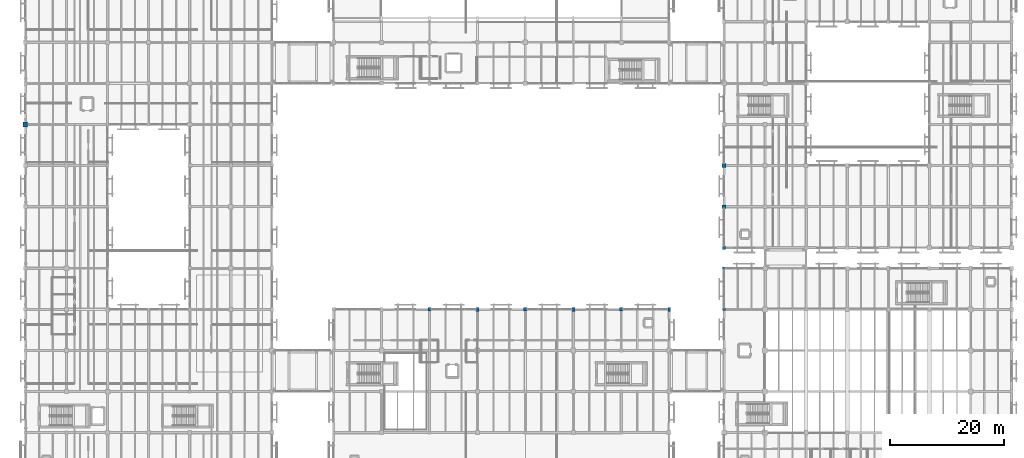
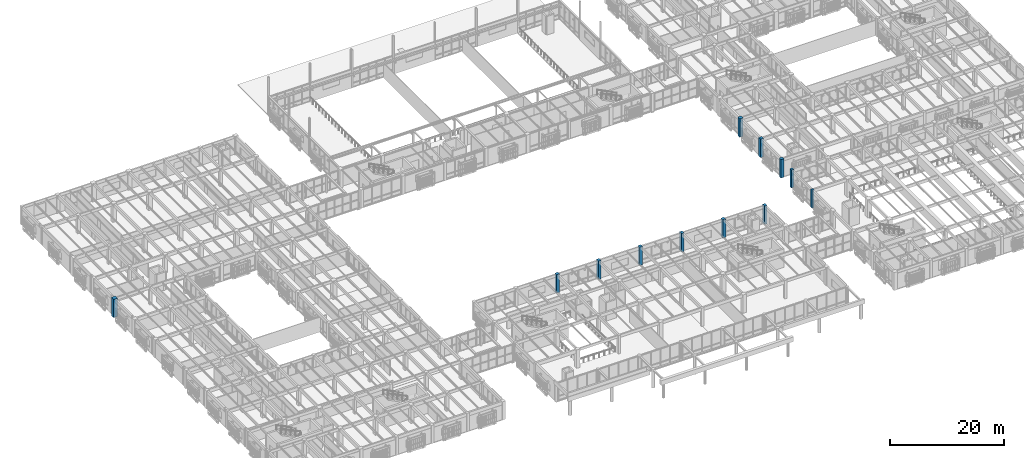
# One storey, part 6 of 170: 12 columns.
"""IFC4 building model written with IfcOpenShell, lengths in metres."""

from ifc_helpers import new_model, si_unit, direction, frame, origin, origin_2d, place, context, subcontext, project, spatial, rectangle, extrude, material, material_profile, profile_set, type_object, element, save


model = new_model("IFC4")

# Units and contexts
model_context = context("Model", 3, precision=1e-05, world=origin(), true_north=direction((0.0, 1.0)))
body_context = subcontext(model_context, "Body", "Model", "MODEL_VIEW")
ifc_project = project(units=[si_unit("LENGTHUNIT", "METRE"), si_unit("AREAUNIT", "SQUARE_METRE"), si_unit("VOLUMEUNIT", "CUBIC_METRE"), si_unit("PLANEANGLEUNIT", "RADIAN"), si_unit("MASSUNIT", "GRAM", prefix="KILO")], contexts=[model_context])

# Site, building, storey
site_placement = place(None, origin())
site = spatial("IfcSite", under=ifc_project, at=site_placement, CompositionType="ELEMENT")
building_placement = place(site_placement, origin())
building = spatial("IfcBuilding", under=site, at=building_placement, Name="Mazaris Harbour Polytechnic", CompositionType="ELEMENT")
storey_placement = place(building_placement, frame((0.0, 0.0, 5.39990234375)))
storey = spatial("IfcBuildingStorey", under=building, at=storey_placement, Name="L01", CompositionType="ELEMENT", Elevation=5.39990234375)

# Columns
ifc_material_1 = material(Name="Concrete C40/50", Category="concrete")
ifc_material_profile_1 = material_profile(ifc_material_1, rectangle(XDim=0.449951171875, YDim=0.449951171875, at=origin_2d()), Name="RECT450x450")
ifc_profile_set_1 = profile_set([ifc_material_profile_1], Name="Concrete C40/50")
column_type_1 = type_object("IfcColumnType", Name="RC Column 450x450 Exterior", PredefinedType="COLUMN", material=ifc_profile_set_1)
column_1_placement = place(storey_placement, frame((122.39990234375, 36.0, 0.0), z_axis=(0.0, 0.0, 1.0), x_axis=(1.0, 0.0, 0.0)))
element("IfcColumn", 1, at=column_1_placement, inside=storey, type_object=column_type_1, Name="V2 L01 Column 269", PredefinedType="COLUMN", context=body_context, shape_type="SweptSolid", body=[
    extrude(rectangle(XDim=0.449951171875, YDim=0.449951171875, at=origin_2d()), origin(), (0.0, 0.0, 1.0), 3.85009765625),
])
ifc_material_2 = material(Name="Concrete C40/50", Category="concrete")
ifc_material_profile_2 = material_profile(ifc_material_2, rectangle(XDim=0.5, YDim=0.5, at=origin_2d()), Name="RECT500x500")
ifc_profile_set_2 = profile_set([ifc_material_profile_2], Name="Concrete C40/50")
column_type_2 = type_object("IfcColumnType", Name="RC Column 500x500 Exterior", PredefinedType="COLUMN", material=ifc_profile_set_2)
column_2_placement = place(storey_placement, frame((122.39990234375, 43.199951171875, 0.0), z_axis=(0.0, 0.0, 1.0), x_axis=(1.0, 0.0, 0.0)))
element("IfcColumn", 2, at=column_2_placement, inside=storey, type_object=column_type_2, Name="V2 L01 Column 270", PredefinedType="COLUMN", context=body_context, shape_type="SweptSolid", body=[
    extrude(rectangle(XDim=0.5, YDim=0.5, at=origin_2d()), origin(), (0.0, 0.0, 1.0), 3.85009765625),
])
ifc_material_3 = material(Name="Concrete C40/50", Category="concrete")
ifc_material_profile_3 = material_profile(ifc_material_3, rectangle(XDim=0.5, YDim=0.699951171875, at=origin_2d()), Name="RECT500x700")
ifc_profile_set_3 = profile_set([ifc_material_profile_3], Name="Concrete C40/50")
column_type_3 = type_object("IfcColumnType", Name="RC Column 500x700 Exterior", PredefinedType="COLUMN", material=ifc_profile_set_3)
for number, where, z_axis, x_axis, name in (
    (3, (79.199951171875, 36.0, 0.0), (0.0, 0.0, 1.0), (1.0, 0.0, 0.0), "V3 L01 Column 487"),
    (4, (96.0, 36.0, 0.0), (0.0, 0.0, 1.0), (1.0, 0.0, 0.0), "V3 L01 Column 497"),
    (5, (112.800048828125, 36.0, 0.0), (0.0, 0.0, 1.0), (1.0, 0.0, 0.0), "V3 L01 Column 507"),
):
    element("IfcColumn", number, at=place(storey_placement, frame(where, z_axis=z_axis, x_axis=x_axis)), inside=storey, type_object=column_type_3, Name=name, PredefinedType="COLUMN", context=body_context, shape_type="SweptSolid", body=[
        extrude(rectangle(XDim=0.5, YDim=0.699951171875, at=origin_2d()), origin(), (0.0, 0.0, 1.0), 3.920166015625),
    ])
ifc_material_4 = material(Name="Concrete C40/50", Category="concrete")
ifc_material_profile_4 = material_profile(ifc_material_4, rectangle(XDim=0.60009765625, YDim=0.60009765625, at=origin_2d()), Name="RECT600x600")
ifc_profile_set_4 = profile_set([ifc_material_profile_4], Name="Concrete C40/50")
column_type_4 = type_object("IfcColumnType", Name="RC Column 600x600 Exterior", PredefinedType="COLUMN", material=ifc_profile_set_4)
for number, where, z_axis, x_axis, name in (
    (6, (70.800048828125, 36.0, 0.0), (0.0, 0.0, 1.0), (1.0, 0.0, 0.0), "V3 L01 Column 482"),
    (7, (87.60009765625, 36.0, 0.0), (0.0, 0.0, 1.0), (1.0, 0.0, 0.0), "V3 L01 Column 492"),
    (8, (104.39990234375, 36.0, 0.0), (0.0, 0.0, 1.0), (1.0, 0.0, 0.0), "V3 L01 Column 502"),
    (9, (122.39990234375, 46.800048828125, 0.0), (0.0, 0.0, 1.0), (1.0, 0.0, 0.0), "V5 L01 Column 1252"),
):
    element("IfcColumn", number, at=place(storey_placement, frame(where, z_axis=z_axis, x_axis=x_axis)), inside=storey, type_object=column_type_4, Name=name, PredefinedType="COLUMN", context=body_context, shape_type="SweptSolid", body=[
        extrude(rectangle(XDim=0.60009765625, YDim=0.60009765625, at=origin_2d()), origin(), (0.0, 0.0, 1.0), 3.920166015625),
    ])
ifc_material_5 = material(Name="Concrete C40/50", Category="concrete")
ifc_material_profile_5 = material_profile(ifc_material_5, rectangle(XDim=0.64990234375, YDim=0.64990234375, at=origin_2d()), Name="RECT650x650")
ifc_profile_set_5 = profile_set([ifc_material_profile_5], Name="Concrete C40/50")
column_type_5 = type_object("IfcColumnType", Name="RC Column 650x650 Exterior", PredefinedType="COLUMN", material=ifc_profile_set_5)
column_3_placement = place(storey_placement, frame((122.39990234375, 54.0, 0.0), z_axis=(0.0, 0.0, 1.0), x_axis=(1.0, 0.0, 0.0)))
element("IfcColumn", 10, at=column_3_placement, inside=storey, type_object=column_type_5, Name="V5 L01 Column 1253", PredefinedType="COLUMN", context=body_context, shape_type="SweptSolid", body=[
    extrude(rectangle(XDim=0.64990234375, YDim=0.64990234375, at=origin_2d()), origin(), (0.0, 0.0, 1.0), 3.920166015625),
])
ifc_material_6 = material(Name="Concrete C40/50", Category="concrete")
ifc_material_profile_6 = material_profile(ifc_material_6, rectangle(XDim=0.699951171875, YDim=0.699951171875, at=origin_2d()), Name="RECT700x700")
ifc_profile_set_6 = profile_set([ifc_material_profile_6], Name="Concrete C40/50")
column_type_6 = type_object("IfcColumnType", Name="RC Column 700x700 Exterior", PredefinedType="COLUMN", material=ifc_profile_set_6)
column_4_placement = place(storey_placement, frame((122.39990234375, 61.199951171875, 0.0), z_axis=(0.0, 0.0, 1.0), x_axis=(1.0, 0.0, 0.0)))
element("IfcColumn", 11, at=column_4_placement, inside=storey, type_object=column_type_6, Name="V5 L01 Column 1254", PredefinedType="COLUMN", context=body_context, shape_type="SweptSolid", body=[
    extrude(rectangle(XDim=0.699951171875, YDim=0.699951171875, at=origin_2d()), origin(), (0.0, 0.0, 1.0), 3.920166015625),
])
ifc_material_7 = material(Name="Concrete C40/50", Category="concrete")
ifc_material_profile_7 = material_profile(ifc_material_7, rectangle(XDim=0.800048828125, YDim=0.800048828125, at=origin_2d()), Name="RECT800x800")
ifc_profile_set_7 = profile_set([ifc_material_profile_7], Name="Concrete C40/50")
column_type_7 = type_object("IfcColumnType", Name="RC Column 800x800 Exterior", PredefinedType="COLUMN", material=ifc_profile_set_7)
column_5_placement = place(storey_placement, frame((0.0, 68.39990234375, 0.0), z_axis=(0.0, 0.0, 1.0), x_axis=(1.0, 0.0, 0.0)))
element("IfcColumn", 12, at=column_5_placement, inside=storey, type_object=column_type_7, Name="V4 L01 Column 736", PredefinedType="COLUMN", context=body_context, shape_type="SweptSolid", body=[
    extrude(rectangle(XDim=0.800048828125, YDim=0.800048828125, at=origin_2d()), origin(), (0.0, 0.0, 1.0), 3.89013671875),
])

save(model, "model.ifc")
